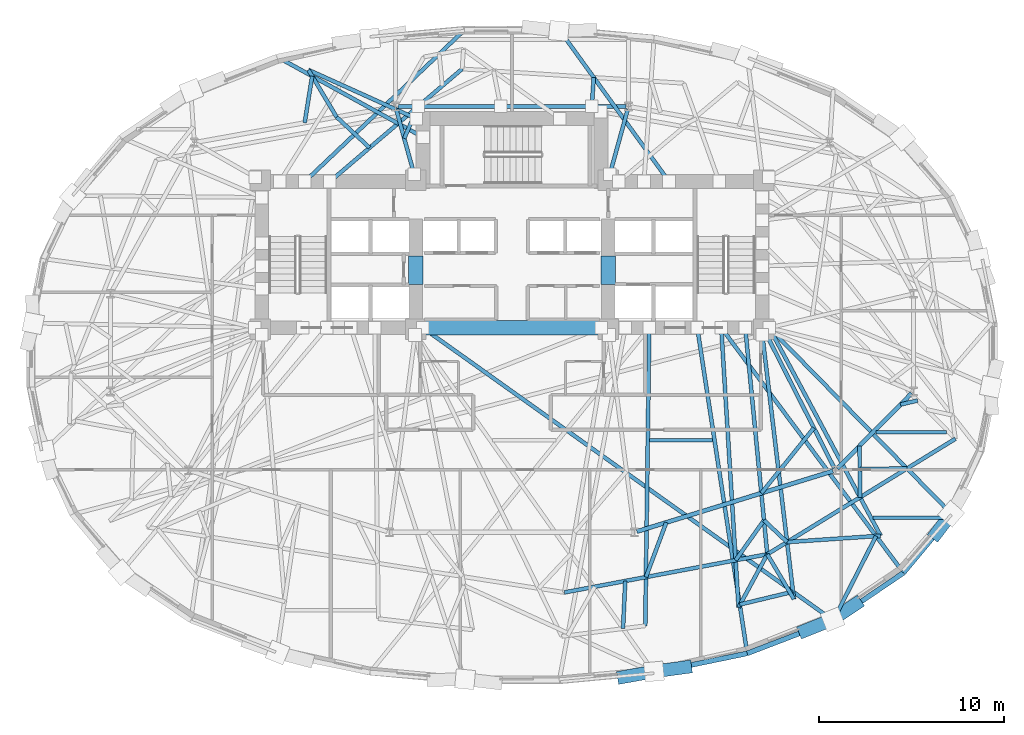
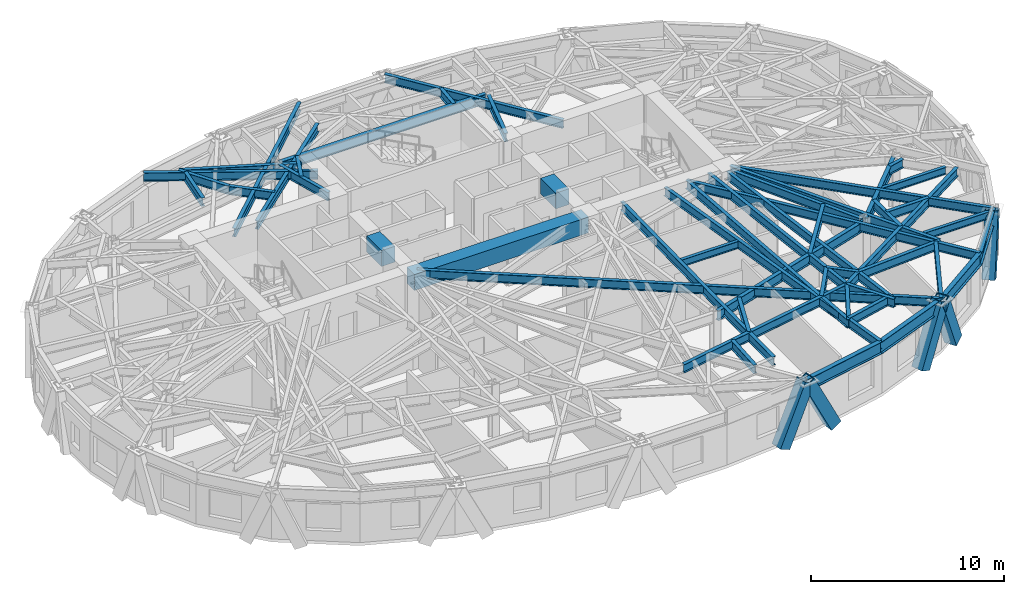
# One storey, part 3 of 14: 50 beams, 5 members.
"""IFC4 building model written with IfcOpenShell, lengths in metres."""

from ifc_helpers import new_model, si_unit, direction, frame, origin, origin_2d, place, context, subcontext, project, spatial, rectangle, hollow_rectangle, i_section, extrude, material, material_profile, profile_set, type_object, element, save


model = new_model("IFC4")

# Units and contexts
model_context = context("Model", 3, precision=1e-05, world=origin(), true_north=direction((0.0, 1.0)))
body_context = subcontext(model_context, "Body", "Model", "MODEL_VIEW")
ifc_project = project(units=[si_unit("LENGTHUNIT", "METRE"), si_unit("AREAUNIT", "SQUARE_METRE"), si_unit("VOLUMEUNIT", "CUBIC_METRE"), si_unit("PLANEANGLEUNIT", "RADIAN"), si_unit("MASSUNIT", "GRAM", prefix="KILO")], contexts=[model_context])

# Site, building, storey
site_placement = place(None, origin())
site = spatial("IfcSite", under=ifc_project, at=site_placement, CompositionType="ELEMENT")
building_placement = place(site_placement, origin())
building = spatial("IfcBuilding", under=site, at=building_placement, Name="Keldmark Tower", CompositionType="ELEMENT")
storey_placement = place(building_placement, frame((0.0, 0.0, 121.10009765625)))
storey = spatial("IfcBuildingStorey", under=building, at=storey_placement, Name="L32", CompositionType="ELEMENT", Elevation=121.10009765625)

# Beams
ifc_material_1 = material(Name="Steel ASTM A992 Grade 50", Category="steel")
ifc_material_profile_1 = material_profile(ifc_material_1, i_section(OverallWidth=0.19091796875, OverallDepth=0.45703125, WebThickness=0.009033203125, FlangeThickness=0.014404296875, at=origin_2d()), Name="W18X50")
ifc_profile_set_1 = profile_set([ifc_material_profile_1], Name="Steel ASTM A992 Grade 50")
beam_type_1 = type_object("IfcBeamType", Name="Composite Floor Joist W18X50", PredefinedType="JOIST", material=ifc_profile_set_1)
beam_1_placement = place(storey_placement, frame((19.50390625, -8.780029296875, 3.081298828125), z_axis=(1.0, 0.0, 0.0), x_axis=(0.0, 1.0, 0.0)))
element("IfcBeam", 1, at=beam_1_placement, inside=storey, type_object=beam_type_1, Name="L32 Composite Floor Joist J02", PredefinedType="JOIST", context=body_context, shape_type="SweptSolid", body=[
    extrude(i_section(OverallWidth=0.19091796875, OverallDepth=0.45703125, WebThickness=0.009033203125, FlangeThickness=0.014404296875, at=origin_2d()), origin(), (0.0, 0.0, 1.0), 3.9765625),
])
beam_2_placement = place(storey_placement, frame((7.432373046875, -4.60009765625, 3.081298828125), z_axis=(1.0, 0.0, 0.0), x_axis=(0.0, 1.0, 0.0)))
element("IfcBeam", 2, at=beam_2_placement, inside=storey, type_object=beam_type_1, Name="L32 Composite Floor Joist J04", PredefinedType="JOIST", context=body_context, shape_type="SweptSolid", body=[
    extrude(i_section(OverallWidth=0.19091796875, OverallDepth=0.45703125, WebThickness=0.009033203125, FlangeThickness=0.014404296875, at=origin_2d()), origin(), (0.0, 0.0, 1.0), 3.413330078125),
])
beam_3_placement = place(storey_placement, frame((19.65625, -4.179931640625, 3.081298828125), z_axis=(1.0, 0.0, 0.0), x_axis=(0.0, 1.0, 0.0)))
element("IfcBeam", 3, at=beam_3_placement, inside=storey, type_object=beam_type_1, Name="L32 Composite Floor Joist J05", PredefinedType="JOIST", context=body_context, shape_type="SweptSolid", body=[
    extrude(i_section(OverallWidth=0.19091796875, OverallDepth=0.45703125, WebThickness=0.009033203125, FlangeThickness=0.014404296875, at=origin_2d()), origin(), (0.0, 0.0, 1.0), 3.826904296875),
])
ifc_material_2 = material(Name="Concrete C70/85", Category="concrete")
ifc_material_profile_2 = material_profile(ifc_material_2, rectangle(XDim=0.800048828125, YDim=1.0, at=origin_2d()), Name="RCB800X1000")
ifc_profile_set_2 = profile_set([ifc_material_profile_2], Name="Concrete C70/85")
beam_type_2 = type_object("IfcBeamType", Name="Core Coupling Beam RCB800X1000", PredefinedType="USERDEFINED", material=ifc_profile_set_2)
for number, where, z_axis, x_axis, name in (
    (4, (-5.199951171875, 3.800048828125, 2.809814453125), (0.0, 1.0, 0.0), (-1.0, 0.0, 0.0), "L32 West Core Coupling Beam"),
    (5, (5.199951171875, 3.800048828125, 2.809814453125), (0.0, 1.0, 0.0), (-1.0, 0.0, 0.0), "L32 East Core Coupling Beam"),
):
    element("IfcBeam", number, at=place(storey_placement, frame(where, z_axis=z_axis, x_axis=x_axis)), inside=storey, type_object=beam_type_2, Name=name, ObjectType="COUPLING BEAM", PredefinedType="USERDEFINED", context=body_context, shape_type="SweptSolid", body=[
        extrude(rectangle(XDim=0.800048828125, YDim=1.0, at=origin_2d()), origin(), (0.0, 0.0, 1.0), 1.550048828125),
    ])
beam_4_placement = place(storey_placement, frame((-5.199951171875, 1.47509765625, 2.809814453125), z_axis=(1.0, 0.0, 0.0), x_axis=(0.0, 1.0, 0.0)))
element("IfcBeam", 6, at=beam_4_placement, inside=storey, type_object=beam_type_2, Name="L32 Central South Core Coupling Beam", ObjectType="COUPLING BEAM", PredefinedType="USERDEFINED", context=body_context, shape_type="SweptSolid", body=[
    extrude(rectangle(XDim=0.800048828125, YDim=1.0, at=origin_2d()), origin(), (0.0, 0.0, 1.0), 10.39990234375),
])

# Members
ifc_material_3 = material(Name="Steel ASTM A572 Grade 50", Category="steel")
ifc_material_profile_3 = material_profile(ifc_material_3, hollow_rectangle(XDim=0.699951171875, YDim=0.699951171875, WallThickness=0.044921875, at=origin_2d()), Name="BOX700X700X45")
ifc_profile_set_3 = profile_set([ifc_material_profile_3], Name="Steel ASTM A572 Grade 50")
member_type = type_object("IfcMemberType", Name="Diagrid Zone 2 Brace BOX700X700X45", PredefinedType="BRACE", material=ifc_profile_set_3)
member_1_placement = place(storey_placement, frame((6.014892578125, -17.398681640625, -0.27001953125), z_axis=(0.430797777075, 0.077023343353, 0.899155537071), x_axis=(-0.176001378924, 0.98438992001, 0.0)))
element("IfcMember", 7, at=member_1_placement, inside=storey, type_object=member_type, Name="L32 Perimeter Diagrid Brace 13A", PredefinedType="BRACE", context=body_context, shape_type="SweptSolid", body=[
    extrude(hollow_rectangle(XDim=0.699951171875, YDim=0.699951171875, WallThickness=0.044921875, at=origin_2d()), origin(), (0.0, 0.0, 1.0), 3.847900390625),
])
member_2_placement = place(storey_placement, frame((9.39453125, -16.8681640625, -0.27001953125), z_axis=(-0.447087134111, -0.060954978284, 0.892411107693), x_axis=(0.135088294439, -0.990833564584, 0.0)))
element("IfcMember", 8, at=member_2_placement, inside=storey, type_object=member_type, Name="L32 Perimeter Diagrid Brace 13B", PredefinedType="BRACE", context=body_context, shape_type="SweptSolid", body=[
    extrude(hollow_rectangle(XDim=0.699951171875, YDim=0.699951171875, WallThickness=0.044921875, at=origin_2d()), origin(), (0.0, 0.0, 1.0), 3.877197265625),
])
member_3_placement = place(storey_placement, frame((15.800537109375, -14.904296875, -0.27001953125), z_axis=(0.399454820791, 0.160495240496, 0.90259466203), x_axis=(-0.372818660827, 0.927904222503, 0.0)))
element("IfcMember", 9, at=member_3_placement, inside=storey, type_object=member_type, Name="L32 Perimeter Diagrid Brace 14A", PredefinedType="BRACE", context=body_context, shape_type="SweptSolid", body=[
    extrude(hollow_rectangle(XDim=0.699951171875, YDim=0.699951171875, WallThickness=0.044921875, at=origin_2d()), origin(), (0.0, 0.0, 1.0), 3.833251953125),
])
member_4_placement = place(storey_placement, frame((18.591796875, -13.441650390625, -0.27001953125), z_axis=(-0.335635716831, -0.22567162118, 0.914560541999), x_axis=(0.557972961749, -0.829859128984, 0.0)))
element("IfcMember", 10, at=member_4_placement, inside=storey, type_object=member_type, Name="L32 Perimeter Diagrid Brace 14B", PredefinedType="BRACE", context=body_context, shape_type="SweptSolid", body=[
    extrude(hollow_rectangle(XDim=0.699951171875, YDim=0.699951171875, WallThickness=0.044921875, at=origin_2d()), origin(), (0.0, 0.0, 1.0), 3.783203125),
])
member_5_placement = place(storey_placement, frame((22.9169921875, -9.65185546875, -0.27001953125), z_axis=(0.219867958997, 0.288773946146, 0.931808826227), x_axis=(-0.795631284897, 0.60578119688, 0.0)))
element("IfcMember", 11, at=member_5_placement, inside=storey, type_object=member_type, Name="L32 Perimeter Diagrid Brace 15A", PredefinedType="BRACE", context=body_context, shape_type="SweptSolid", body=[
    extrude(hollow_rectangle(XDim=0.699951171875, YDim=0.699951171875, WallThickness=0.044921875, at=origin_2d()), origin(), (0.0, 0.0, 1.0), 3.713134765625),
])

# Beams
ifc_material_4 = material(Name="Steel ASTM A992 Grade 50", Category="steel")
ifc_material_profile_4 = material_profile(ifc_material_4, i_section(OverallWidth=0.22900390625, OverallDepth=0.612060546875, WebThickness=0.011962890625, FlangeThickness=0.01953125, at=origin_2d()), Name="W24X84")
ifc_profile_set_4 = profile_set([ifc_material_profile_4], Name="Steel ASTM A992 Grade 50")
beam_type_3 = type_object("IfcBeamType", Name="Primary Floor Girder W24X84", PredefinedType="BEAM", material=ifc_profile_set_4)
beam_5_placement = place(storey_placement, frame((6.15869140625, 13.4326171875, 3.00390625), z_axis=(-1.0, 0.0, 0.0), x_axis=(0.0, -1.0, 0.0)))
element("IfcBeam", 12, at=beam_5_placement, inside=storey, type_object=beam_type_3, Name="L32 Floor Ring Girder FG-R03", PredefinedType="BEAM", context=body_context, shape_type="SweptSolid", body=[
    extrude(i_section(OverallWidth=0.22900390625, OverallDepth=0.612060546875, WebThickness=0.011962890625, FlangeThickness=0.01953125, at=origin_2d()), origin(), (0.0, 0.0, 1.0), 12.3173828125),
])
beam_6_placement = place(storey_placement, frame((6.74658203125, -9.5380859375, 3.00390625), z_axis=(0.955607954968, 0.294641199432, 0.0), x_axis=(-0.294641199432, 0.955607954968, 0.0)))
element("IfcBeam", 13, at=beam_6_placement, inside=storey, type_object=beam_type_3, Name="L32 Floor Ring Girder FG-R10", PredefinedType="BEAM", context=body_context, shape_type="SweptSolid", body=[
    extrude(i_section(OverallWidth=0.22900390625, OverallDepth=0.612060546875, WebThickness=0.011962890625, FlangeThickness=0.01953125, at=origin_2d()), origin(), (0.0, 0.0, 1.0), 11.089111328125),
])
beam_7_placement = place(storey_placement, frame((17.57568359375, -6.130126953125, 3.00390625), z_axis=(0.703425791323, 0.71076870788, 0.0), x_axis=(-0.71076870788, 0.703425791323, 0.0)))
element("IfcBeam", 14, at=beam_7_placement, inside=storey, type_object=beam_type_3, Name="L32 Floor Ring Girder FG-R11", PredefinedType="BEAM", context=body_context, shape_type="SweptSolid", body=[
    extrude(i_section(OverallWidth=0.22900390625, OverallDepth=0.612060546875, WebThickness=0.011962890625, FlangeThickness=0.01953125, at=origin_2d()), origin(), (0.0, 0.0, 1.0), 5.71875),
])
ifc_material_5 = material(Name="Steel ASTM A992 Grade 50", Category="steel")
ifc_material_profile_5 = material_profile(ifc_material_5, i_section(OverallWidth=0.2099609375, OverallDepth=0.537109375, WebThickness=0.010986328125, FlangeThickness=0.017333984375, at=origin_2d()), Name="W21X68")
ifc_profile_set_5 = profile_set([ifc_material_profile_5], Name="Steel ASTM A992 Grade 50")
beam_type_4 = type_object("IfcBeamType", Name="Radial Tie Girder W21X68", PredefinedType="BEAM", material=ifc_profile_set_5)
for number, where, z_axis, x_axis, name in (
    (15, (6.26171875, 13.297607421875, 3.04150390625), (-0.265997186795, -0.963973804944, 0.0), (0.963973804944, -0.265997186795, 0.0), "L32 Floor Radial Girder FG-C03"),
    (16, (-6.26171875, 13.297607421875, 3.04150390625), (0.265997186795, -0.963973804944, 0.0), (0.963973804944, 0.265997186795, 0.0), "L32 Floor Radial Girder FG-C04"),
):
    element("IfcBeam", number, at=place(storey_placement, frame(where, z_axis=z_axis, x_axis=x_axis)), inside=storey, type_object=beam_type_4, Name=name, PredefinedType="BEAM", context=body_context, shape_type="SweptSolid", body=[
        extrude(i_section(OverallWidth=0.2099609375, OverallDepth=0.537109375, WebThickness=0.010986328125, FlangeThickness=0.017333984375, at=origin_2d()), origin(), (0.0, 0.0, 1.0), 3.67138671875),
    ])
beam_8_placement = place(storey_placement, frame((17.413818359375, -6.104736328125, 3.04150390625), z_axis=(-0.453028637759, 0.891495963743, 0.0), x_axis=(-0.891495963743, -0.453028637759, 0.0)))
element("IfcBeam", 17, at=beam_8_placement, inside=storey, type_object=beam_type_4, Name="L32 Floor Radial Girder FG-C11", PredefinedType="BEAM", context=body_context, shape_type="SweptSolid", body=[
    extrude(i_section(OverallWidth=0.2099609375, OverallDepth=0.537109375, WebThickness=0.010986328125, FlangeThickness=0.017333984375, at=origin_2d()), origin(), (0.0, 0.0, 1.0), 8.09814453125),
])
beam_9_placement = place(storey_placement, frame((-5.822265625, 11.705078125, 3.04150390625), z_axis=(0.397141485436, 0.917757397435, 0.0), x_axis=(-0.917757397435, 0.397141485436, 0.0)))
element("IfcBeam", 18, at=beam_9_placement, inside=storey, type_object=beam_type_4, Name="L32 Framing Pin Header PH-003", PredefinedType="BEAM", context=body_context, shape_type="SweptSolid", body=[
    extrude(i_section(OverallWidth=0.2099609375, OverallDepth=0.537109375, WebThickness=0.010986328125, FlangeThickness=0.017333984375, at=origin_2d()), origin(), (0.0, 0.0, 1.0), 1.88232421875),
])
beam_10_placement = place(storey_placement, frame((-9.83935546875, 9.375, 3.04150390625), z_axis=(0.761344543259, 0.648347504391, 0.0), x_axis=(-0.648347504391, 0.761344543259, 0.0)))
element("IfcBeam", 19, at=beam_10_placement, inside=storey, type_object=beam_type_4, Name="L32 Sub-Ring Step Girder STP1-M04", PredefinedType="BEAM", context=body_context, shape_type="SweptSolid", body=[
    extrude(i_section(OverallWidth=0.2099609375, OverallDepth=0.537109375, WebThickness=0.010986328125, FlangeThickness=0.017333984375, at=origin_2d()), origin(), (0.0, 0.0, 1.0), 9.383544921875),
])
beam_11_placement = place(storey_placement, frame((-7.696044921875, 11.2001953125, 3.04150390625), z_axis=(-0.731105291566, 0.682264650003, 0.0), x_axis=(-0.682264650003, -0.731105291566, 0.0)))
element("IfcBeam", 20, at=beam_11_placement, inside=storey, type_object=beam_type_4, Name="L32 Framing Pin Header PH-004", PredefinedType="BEAM", context=body_context, shape_type="SweptSolid", body=[
    extrude(i_section(OverallWidth=0.2099609375, OverallDepth=0.537109375, WebThickness=0.010986328125, FlangeThickness=0.017333984375, at=origin_2d()), origin(), (0.0, 0.0, 1.0), 2.434326171875),
])
beam_12_placement = place(storey_placement, frame((16.313232421875, -3.93896484375, 3.04150390625), z_axis=(-0.627276832524, -0.778796363229, 0.0), x_axis=(0.778796363229, -0.627276832524, 0.0)))
element("IfcBeam", 21, at=beam_12_placement, inside=storey, type_object=beam_type_4, Name="L32 Framing Pin Header PH-011", PredefinedType="BEAM", context=body_context, shape_type="SweptSolid", body=[
    extrude(i_section(OverallWidth=0.2099609375, OverallDepth=0.537109375, WebThickness=0.010986328125, FlangeThickness=0.017333984375, at=origin_2d()), origin(), (0.0, 0.0, 1.0), 4.526123046875),
])
beam_13_placement = place(storey_placement, frame((12.603515625, 1.47509765625, 3.04150390625), z_axis=(0.096912915674, -0.995292864827, 0.0), x_axis=(0.995292864827, 0.096912915674, 0.0)))
element("IfcBeam", 22, at=beam_13_placement, inside=storey, type_object=beam_type_4, Name="L32 Sub-Ring Step Girder STP2-M11", PredefinedType="BEAM", context=body_context, shape_type="SweptSolid", body=[
    extrude(i_section(OverallWidth=0.2099609375, OverallDepth=0.537109375, WebThickness=0.010986328125, FlangeThickness=0.017333984375, at=origin_2d()), origin(), (0.0, 0.0, 1.0), 12.298583984375),
])
beam_14_placement = place(storey_placement, frame((20.9951171875, -2.675048828125, 3.04150390625), z_axis=(0.973109138852, 0.230344533, 0.0), x_axis=(-0.230344533, 0.973109138852, 0.0)))
element("IfcBeam", 23, at=beam_14_placement, inside=storey, type_object=beam_type_4, Name="L32 Framing Pin Header PH-012", PredefinedType="BEAM", context=body_context, shape_type="SweptSolid", body=[
    extrude(i_section(OverallWidth=0.2099609375, OverallDepth=0.537109375, WebThickness=0.010986328125, FlangeThickness=0.017333984375, at=origin_2d()), origin(), (0.0, 0.0, 1.0), 0.948486328125),
])
beam_15_placement = place(storey_placement, frame((2.83056640625, -12.829345703125, 3.04150390625), z_axis=(0.982745123628, 0.184964920957, 0.0), x_axis=(-0.184964920957, 0.982745123628, 0.0)))
element("IfcBeam", 24, at=beam_15_placement, inside=storey, type_object=beam_type_4, Name="L32 Perimeter Collector Ring Beam CRG2-M10", PredefinedType="BEAM", context=body_context, shape_type="SweptSolid", body=[
    extrude(i_section(OverallWidth=0.2099609375, OverallDepth=0.537109375, WebThickness=0.010986328125, FlangeThickness=0.017333984375, at=origin_2d()), origin(), (0.0, 0.0, 1.0), 11.157470703125),
])
beam_16_placement = place(storey_placement, frame((13.79541015625, -10.765625, 3.04150390625), z_axis=(0.852198284744, 0.523218963227, 0.0), x_axis=(-0.523218963227, 0.852198284744, 0.0)))
element("IfcBeam", 25, at=beam_16_placement, inside=storey, type_object=beam_type_4, Name="L32 Perimeter Collector Ring Beam CRG2-M11", PredefinedType="BEAM", context=body_context, shape_type="SweptSolid", body=[
    extrude(i_section(OverallWidth=0.2099609375, OverallDepth=0.537109375, WebThickness=0.010986328125, FlangeThickness=0.017333984375, at=origin_2d()), origin(), (0.0, 0.0, 1.0), 11.927978515625),
])
beam_17_placement = place(storey_placement, frame((4.311279296875, 13.4326171875, 3.04150390625), z_axis=(0.067612489633, 0.997711657367, 0.0), x_axis=(-0.997711657367, 0.067612489633, 0.0)))
element("IfcBeam", 26, at=beam_17_placement, inside=storey, type_object=beam_type_4, Name="L32 Framing Pin Header PH-017", PredefinedType="BEAM", context=body_context, shape_type="SweptSolid", body=[
    extrude(i_section(OverallWidth=0.2099609375, OverallDepth=0.537109375, WebThickness=0.010986328125, FlangeThickness=0.017333984375, at=origin_2d()), origin(), (0.0, 0.0, 1.0), 1.57080078125),
])
beam_18_placement = place(storey_placement, frame((8.485595703125, 9.375, 3.04150390625), z_axis=(-0.586032870316, 0.810287279247, 0.0), x_axis=(-0.810287279247, -0.586032870316, 0.0)))
element("IfcBeam", 27, at=beam_18_placement, inside=storey, type_object=beam_type_4, Name="L32 Perimeter Radial Tie Girder RT-08", PredefinedType="BEAM", context=body_context, shape_type="SweptSolid", body=[
    extrude(i_section(OverallWidth=0.2099609375, OverallDepth=0.537109375, WebThickness=0.010986328125, FlangeThickness=0.017333984375, at=origin_2d()), origin(), (0.0, 0.0, 1.0), 10.12255859375),
])
beam_19_placement = place(storey_placement, frame((-5.175048828125, 12.77490234375, 3.04150390625), z_axis=(-0.911390942973, 0.411541673549, 0.0), x_axis=(-0.411541673549, -0.911390942973, 0.0)))
element("IfcBeam", 28, at=beam_19_placement, inside=storey, type_object=beam_type_4, Name="L32 Intermediate Radial Step Girder RT-11M", PredefinedType="BEAM", context=body_context, shape_type="SweptSolid", body=[
    extrude(i_section(OverallWidth=0.2099609375, OverallDepth=0.537109375, WebThickness=0.010986328125, FlangeThickness=0.017333984375, at=origin_2d()), origin(), (0.0, 0.0, 1.0), 6.38916015625),
])
beam_20_placement = place(storey_placement, frame((-9.475830078125, 12.861083984375, 3.04150390625), z_axis=(-0.51357485679, 0.858044792813, 0.0), x_axis=(-0.858044792813, -0.51357485679, 0.0)))
element("IfcBeam", 29, at=beam_20_placement, inside=storey, type_object=beam_type_4, Name="L32 Local Collector Chord RT-11C", PredefinedType="BEAM", context=body_context, shape_type="SweptSolid", body=[
    extrude(i_section(OverallWidth=0.2099609375, OverallDepth=0.537109375, WebThickness=0.010986328125, FlangeThickness=0.017333984375, at=origin_2d()), origin(), (0.0, 0.0, 1.0), 2.9638671875),
])
beam_21_placement = place(storey_placement, frame((-11.203369140625, 12.550537109375, 3.04150390625), z_axis=(0.15904289253, 0.987271674027, 0.0), x_axis=(-0.987271674027, 0.15904289253, 0.0)))
element("IfcBeam", 30, at=beam_21_placement, inside=storey, type_object=beam_type_4, Name="L32 Framing Pin Header PH-019", PredefinedType="BEAM", context=body_context, shape_type="SweptSolid", body=[
    extrude(i_section(OverallWidth=0.2099609375, OverallDepth=0.537109375, WebThickness=0.010986328125, FlangeThickness=0.017333984375, at=origin_2d()), origin(), (0.0, 0.0, 1.0), 2.55126953125),
])
beam_22_placement = place(storey_placement, frame((-4.800048828125, 11.7666015625, 3.04150390625), z_axis=(-0.875965788247, 0.482373234976, 0.0), x_axis=(-0.482373234976, -0.875965788247, 0.0)))
element("IfcBeam", 31, at=beam_22_placement, inside=storey, type_object=beam_type_4, Name="L32 Perimeter Radial Tie Girder RT-11", PredefinedType="BEAM", context=body_context, shape_type="SweptSolid", body=[
    extrude(i_section(OverallWidth=0.2099609375, OverallDepth=0.537109375, WebThickness=0.010986328125, FlangeThickness=0.017333984375, at=origin_2d()), origin(), (0.0, 0.0, 1.0), 9.03076171875),
])
beam_23_placement = place(storey_placement, frame((8.336181640625, -9.048095703125, 3.04150390625), z_axis=(-0.348939531582, -0.937145241304, 0.0), x_axis=(0.937145241304, -0.348939531582, 0.0)))
element("IfcBeam", 32, at=beam_23_placement, inside=storey, type_object=beam_type_4, Name="L32 Framing Pin Header PH-036", PredefinedType="BEAM", context=body_context, shape_type="SweptSolid", body=[
    extrude(i_section(OverallWidth=0.2099609375, OverallDepth=0.537109375, WebThickness=0.010986328125, FlangeThickness=0.017333984375, at=origin_2d()), origin(), (0.0, 0.0, 1.0), 3.14990234375),
])
beam_24_placement = place(storey_placement, frame((7.41796875, 1.47509765625, 3.04150390625), z_axis=(-0.013415404974, -0.999910009406, 0.0), x_axis=(0.999910009406, -0.013415404974, 0.0)))
element("IfcBeam", 33, at=beam_24_placement, inside=storey, type_object=beam_type_4, Name="L32 Intermediate Radial Step Girder RT-26M", PredefinedType="BEAM", context=body_context, shape_type="SweptSolid", body=[
    extrude(i_section(OverallWidth=0.2099609375, OverallDepth=0.537109375, WebThickness=0.010986328125, FlangeThickness=0.017333984375, at=origin_2d()), origin(), (0.0, 0.0, 1.0), 16.105712890625),
])
beam_25_placement = place(storey_placement, frame((6.1201171875, -12.210205078125, 3.04150390625), z_axis=(-0.046560423241, -0.998915475397, 0.0), x_axis=(0.998915475397, -0.046560423241, 0.0)))
element("IfcBeam", 34, at=beam_25_placement, inside=storey, type_object=beam_type_4, Name="L32 Framing Pin Header PH-037", PredefinedType="BEAM", context=body_context, shape_type="SweptSolid", body=[
    extrude(i_section(OverallWidth=0.2099609375, OverallDepth=0.537109375, WebThickness=0.010986328125, FlangeThickness=0.017333984375, at=origin_2d()), origin(), (0.0, 0.0, 1.0), 2.574462890625),
])
beam_26_placement = place(storey_placement, frame((13.61669921875, -8.9296875, 3.04150390625), z_axis=(-0.57887959818, -0.815413030807, 0.0), x_axis=(0.815413030807, -0.57887959818, 0.0)))
element("IfcBeam", 35, at=beam_26_placement, inside=storey, type_object=beam_type_4, Name="L32 Framing Pin Header PH-038", PredefinedType="BEAM", context=body_context, shape_type="SweptSolid", body=[
    extrude(i_section(OverallWidth=0.2099609375, OverallDepth=0.537109375, WebThickness=0.010986328125, FlangeThickness=0.017333984375, at=origin_2d()), origin(), (0.0, 0.0, 1.0), 2.646484375),
])
beam_27_placement = place(storey_placement, frame((11.30712890625, 1.47509765625, 3.04150390625), z_axis=(0.061766824863, -0.998090606782, 0.0), x_axis=(0.998090606782, 0.061766824863, 0.0)))
element("IfcBeam", 36, at=beam_27_placement, inside=storey, type_object=beam_type_4, Name="L32 Intermediate Radial Step Girder RT-27M", PredefinedType="BEAM", context=body_context, shape_type="SweptSolid", body=[
    extrude(i_section(OverallWidth=0.2099609375, OverallDepth=0.537109375, WebThickness=0.010986328125, FlangeThickness=0.017333984375, at=origin_2d()), origin(), (0.0, 0.0, 1.0), 15.138427734375),
])
beam_28_placement = place(storey_placement, frame((13.79541015625, -10.765625, 3.04150390625), z_axis=(-0.476102328293, -0.879389886793, 0.0), x_axis=(0.879389886793, -0.476102328293, 0.0)))
element("IfcBeam", 37, at=beam_28_placement, inside=storey, type_object=beam_type_4, Name="L32 Local Collector Chord RT-27C", PredefinedType="BEAM", context=body_context, shape_type="SweptSolid", body=[
    extrude(i_section(OverallWidth=0.2099609375, OverallDepth=0.537109375, WebThickness=0.010986328125, FlangeThickness=0.017333984375, at=origin_2d()), origin(), (0.0, 0.0, 1.0), 3.262451171875),
])
beam_29_placement = place(storey_placement, frame((10.0107421875, 1.47509765625, 3.04150390625), z_axis=(0.15165014614, -0.988434233106, 0.0), x_axis=(0.988434233106, 0.15165014614, 0.0)))
element("IfcBeam", 38, at=beam_29_placement, inside=storey, type_object=beam_type_4, Name="L32 Perimeter Radial Tie Girder RT-27", PredefinedType="BEAM", context=body_context, shape_type="SweptSolid", body=[
    extrude(i_section(OverallWidth=0.2099609375, OverallDepth=0.537109375, WebThickness=0.010986328125, FlangeThickness=0.017333984375, at=origin_2d()), origin(), (0.0, 0.0, 1.0), 17.8037109375),
])
beam_30_placement = place(storey_placement, frame((13.61669921875, -8.9296875, 3.04150390625), z_axis=(0.726867264966, -0.686777969304, 0.0), x_axis=(0.686777969304, 0.726867264966, 0.0)))
element("IfcBeam", 39, at=beam_30_placement, inside=storey, type_object=beam_type_4, Name="L32 Framing Pin Header PH-039", PredefinedType="BEAM", context=body_context, shape_type="SweptSolid", body=[
    extrude(i_section(OverallWidth=0.2099609375, OverallDepth=0.537109375, WebThickness=0.010986328125, FlangeThickness=0.017333984375, at=origin_2d()), origin(), (0.0, 0.0, 1.0), 1.71728515625),
])
beam_31_placement = place(storey_placement, frame((13.52490234375, 1.10009765625, 3.04150390625), z_axis=(0.118694361669, -0.992930837726, 0.0), x_axis=(0.992930837726, 0.118694361669, 0.0)))
element("IfcBeam", 40, at=beam_31_placement, inside=storey, type_object=beam_type_4, Name="L32 Intermediate Radial Step Girder RT-28M", PredefinedType="BEAM", context=body_context, shape_type="SweptSolid", body=[
    extrude(i_section(OverallWidth=0.2099609375, OverallDepth=0.537109375, WebThickness=0.010986328125, FlangeThickness=0.017333984375, at=origin_2d()), origin(), (0.0, 0.0, 1.0), 14.39208984375),
])
beam_32_placement = place(storey_placement, frame((13.79541015625, -10.765625, 3.04150390625), z_axis=(0.510056399801, -0.860140958809, 0.0), x_axis=(0.860140958809, 0.510056399801, 0.0)))
element("IfcBeam", 41, at=beam_32_placement, inside=storey, type_object=beam_type_4, Name="L32 Local Collector Chord RT-28C", PredefinedType="BEAM", context=body_context, shape_type="SweptSolid", body=[
    extrude(i_section(OverallWidth=0.2099609375, OverallDepth=0.537109375, WebThickness=0.010986328125, FlangeThickness=0.017333984375, at=origin_2d()), origin(), (0.0, 0.0, 1.0), 2.81884765625),
])
beam_33_placement = place(storey_placement, frame((12.3056640625, -13.48291015625, 3.04150390625), z_axis=(0.97236934112, 0.233447776708, 0.0), x_axis=(-0.233447776708, 0.97236934112, 0.0)))
element("IfcBeam", 42, at=beam_33_placement, inside=storey, type_object=beam_type_4, Name="L32 Framing Pin Header PH-040", PredefinedType="BEAM", context=body_context, shape_type="SweptSolid", body=[
    extrude(i_section(OverallWidth=0.2099609375, OverallDepth=0.537109375, WebThickness=0.010986328125, FlangeThickness=0.017333984375, at=origin_2d()), origin(), (0.0, 0.0, 1.0), 2.961669921875),
])
beam_34_placement = place(storey_placement, frame((-4.824951171875, 1.47509765625, 3.04150390625), z_axis=(0.814246569926, -0.580519184321, 0.0), x_axis=(0.580519184321, 0.814246569926, 0.0)))
element("IfcBeam", 43, at=beam_34_placement, inside=storey, type_object=beam_type_4, Name="L32 Perimeter Radial Tie Girder RT-28", PredefinedType="BEAM", context=body_context, shape_type="SweptSolid", body=[
    extrude(i_section(OverallWidth=0.2099609375, OverallDepth=0.537109375, WebThickness=0.010986328125, FlangeThickness=0.017333984375, at=origin_2d()), origin(), (0.0, 0.0, 1.0), 27.24609375),
])
beam_35_placement = place(storey_placement, frame((18.78271484375, -4.91064453125, 3.04150390625), z_axis=(0.009494912222, -0.999954922305, 0.0), x_axis=(0.999954922305, 0.009494912222, 0.0)))
element("IfcBeam", 44, at=beam_35_placement, inside=storey, type_object=beam_type_4, Name="L32 Framing Pin Header PH-041", PredefinedType="BEAM", context=body_context, shape_type="SweptSolid", body=[
    extrude(i_section(OverallWidth=0.2099609375, OverallDepth=0.537109375, WebThickness=0.010986328125, FlangeThickness=0.017333984375, at=origin_2d()), origin(), (0.0, 0.0, 1.0), 2.777099609375),
])
beam_36_placement = place(storey_placement, frame((13.89990234375, 1.47509765625, 3.04150390625), z_axis=(0.4722697602, -0.881454067777, 0.0), x_axis=(0.881454067777, 0.4722697602, 0.0)))
element("IfcBeam", 45, at=beam_36_placement, inside=storey, type_object=beam_type_4, Name="L32 Intermediate Radial Step Girder RT-29M", PredefinedType="BEAM", context=body_context, shape_type="SweptSolid", body=[
    extrude(i_section(OverallWidth=0.2099609375, OverallDepth=0.537109375, WebThickness=0.010986328125, FlangeThickness=0.017333984375, at=origin_2d()), origin(), (0.0, 0.0, 1.0), 12.751708984375),
])
beam_37_placement = place(storey_placement, frame((14.864990234375, -10.109130859375, 3.04150390625), z_axis=(0.997691264132, 0.067912748983, 0.0), x_axis=(-0.067912748983, 0.997691264132, 0.0)))
element("IfcBeam", 46, at=beam_37_placement, inside=storey, type_object=beam_type_4, Name="L32 Local Collector Chord RT-29C", PredefinedType="BEAM", context=body_context, shape_type="SweptSolid", body=[
    extrude(i_section(OverallWidth=0.2099609375, OverallDepth=0.537109375, WebThickness=0.010986328125, FlangeThickness=0.017333984375, at=origin_2d()), origin(), (0.0, 0.0, 1.0), 5.06884765625),
])
beam_38_placement = place(storey_placement, frame((17.360107421875, -14.341796875, 3.04150390625), z_axis=(0.45270462227, 0.891660543579, 0.0), x_axis=(-0.891660543579, 0.45270462227, 0.0)))
element("IfcBeam", 47, at=beam_38_placement, inside=storey, type_object=beam_type_4, Name="L32 Framing Pin Header PH-042", PredefinedType="BEAM", context=body_context, shape_type="SweptSolid", body=[
    extrude(i_section(OverallWidth=0.2099609375, OverallDepth=0.537109375, WebThickness=0.010986328125, FlangeThickness=0.017333984375, at=origin_2d()), origin(), (0.0, 0.0, 1.0), 5.114013671875),
])
beam_39_placement = place(storey_placement, frame((11.30712890625, 1.47509765625, 3.04150390625), z_axis=(0.596595779026, -0.802541884545, 0.0), x_axis=(0.802541884545, 0.596595779026, 0.0)))
element("IfcBeam", 48, at=beam_39_placement, inside=storey, type_object=beam_type_4, Name="L32 Perimeter Radial Tie Girder RT-29", PredefinedType="BEAM", context=body_context, shape_type="SweptSolid", body=[
    extrude(i_section(OverallWidth=0.2099609375, OverallDepth=0.537109375, WebThickness=0.010986328125, FlangeThickness=0.017333984375, at=origin_2d()), origin(), (0.0, 0.0, 1.0), 16.50390625),
])
beam_40_placement = place(storey_placement, frame((18.79443359375, -6.160400390625, 3.04150390625), z_axis=(0.999930710288, 0.011771772336, 0.0), x_axis=(-0.011771772336, 0.999930710288, 0.0)))
element("IfcBeam", 49, at=beam_40_placement, inside=storey, type_object=beam_type_4, Name="L32 Framing Pin Header PH-043", PredefinedType="BEAM", context=body_context, shape_type="SweptSolid", body=[
    extrude(i_section(OverallWidth=0.2099609375, OverallDepth=0.537109375, WebThickness=0.010986328125, FlangeThickness=0.017333984375, at=origin_2d()), origin(), (0.0, 0.0, 1.0), 2.551025390625),
])
beam_41_placement = place(storey_placement, frame((13.89990234375, 1.47509765625, 3.04150390625), z_axis=(0.699529918351, -0.714603311867, 0.0), x_axis=(0.714603311867, 0.699529918351, 0.0)))
element("IfcBeam", 50, at=beam_41_placement, inside=storey, type_object=beam_type_4, Name="L32 Perimeter Radial Tie Girder RT-30", PredefinedType="BEAM", context=body_context, shape_type="SweptSolid", body=[
    extrude(i_section(OverallWidth=0.2099609375, OverallDepth=0.537109375, WebThickness=0.010986328125, FlangeThickness=0.017333984375, at=origin_2d()), origin(), (0.0, 0.0, 1.0), 14.12353515625),
])
beam_42_placement = place(storey_placement, frame((-11.19287109375, 9.375, 3.04150390625), z_axis=(0.725220952044, 0.68851620948, 0.0), x_axis=(-0.68851620948, 0.725220952044, 0.0)))
element("IfcBeam", 51, at=beam_42_placement, inside=storey, type_object=beam_type_4, Name="L32 Perimeter Radial Tie Girder RT-09R", PredefinedType="BEAM", context=body_context, shape_type="SweptSolid", body=[
    extrude(i_section(OverallWidth=0.2099609375, OverallDepth=0.537109375, WebThickness=0.010986328125, FlangeThickness=0.017333984375, at=origin_2d()), origin(), (0.0, 0.0, 1.0), 11.912841796875),
])
ifc_material_6 = material(Name="Steel ASTM A992 Grade 50", Category="steel")
ifc_material_profile_6 = material_profile(ifc_material_6, i_section(OverallWidth=0.26806640625, OverallDepth=0.77001953125, WebThickness=0.015625, FlangeThickness=0.025390625, at=origin_2d()), Name="W30X132")
ifc_profile_set_6 = profile_set([ifc_material_profile_6], Name="Steel ASTM A992 Grade 50")
beam_type_5 = type_object("IfcBeamType", Name="Spandrel Ring Beam W30X132", PredefinedType="SPANDREL", material=ifc_profile_set_6)
beam_43_placement = place(storey_placement, frame((7.678466796875, -17.161865234375, 2.9248046875), z_axis=(0.979340957224, 0.202215947698, 0.0), x_axis=(-0.202215947698, 0.979340957224, 0.0)))
element("IfcBeam", 52, at=beam_43_placement, inside=storey, type_object=beam_type_5, Name="L32 Perimeter Spandrel Ring Beam SRB-26", PredefinedType="SPANDREL", context=body_context, shape_type="SweptSolid", body=[
    extrude(i_section(OverallWidth=0.26806640625, OverallDepth=0.77001953125, WebThickness=0.015625, FlangeThickness=0.025390625, at=origin_2d()), origin(), (0.0, 0.0, 1.0), 5.138427734375),
])
beam_44_placement = place(storey_placement, frame((12.710693359375, -16.122802734375, 2.9248046875), z_axis=(0.933831312068, 0.357713685231, 0.0), x_axis=(-0.357713685231, 0.933831312068, 0.0)))
element("IfcBeam", 53, at=beam_44_placement, inside=storey, type_object=beam_type_5, Name="L32 Perimeter Spandrel Ring Beam SRB-27", PredefinedType="SPANDREL", context=body_context, shape_type="SweptSolid", body=[
    extrude(i_section(OverallWidth=0.26806640625, OverallDepth=0.77001953125, WebThickness=0.015625, FlangeThickness=0.025390625, at=origin_2d()), origin(), (0.0, 0.0, 1.0), 4.978759765625),
])
beam_45_placement = place(storey_placement, frame((17.360107421875, -14.341796875, 2.9248046875), z_axis=(0.827697593977, 0.561174387266, 0.0), x_axis=(-0.561174387266, 0.827697593977, 0.0)))
element("IfcBeam", 54, at=beam_45_placement, inside=storey, type_object=beam_type_5, Name="L32 Perimeter Spandrel Ring Beam SRB-28", PredefinedType="SPANDREL", context=body_context, shape_type="SweptSolid", body=[
    extrude(i_section(OverallWidth=0.26806640625, OverallDepth=0.77001953125, WebThickness=0.015625, FlangeThickness=0.025390625, at=origin_2d()), origin(), (0.0, 0.0, 1.0), 4.582763671875),
])
beam_46_placement = place(storey_placement, frame((21.1533203125, -11.77001953125, 2.9248046875), z_axis=(0.640114166037, 0.768279802181, 0.0), x_axis=(-0.768279802181, 0.640114166037, 0.0)))
element("IfcBeam", 55, at=beam_46_placement, inside=storey, type_object=beam_type_5, Name="L32 Perimeter Spandrel Ring Beam SRB-29", PredefinedType="SPANDREL", context=body_context, shape_type="SweptSolid", body=[
    extrude(i_section(OverallWidth=0.26806640625, OverallDepth=0.77001953125, WebThickness=0.015625, FlangeThickness=0.025390625, at=origin_2d()), origin(), (0.0, 0.0, 1.0), 4.10302734375),
])

save(model, "model.ifc")
